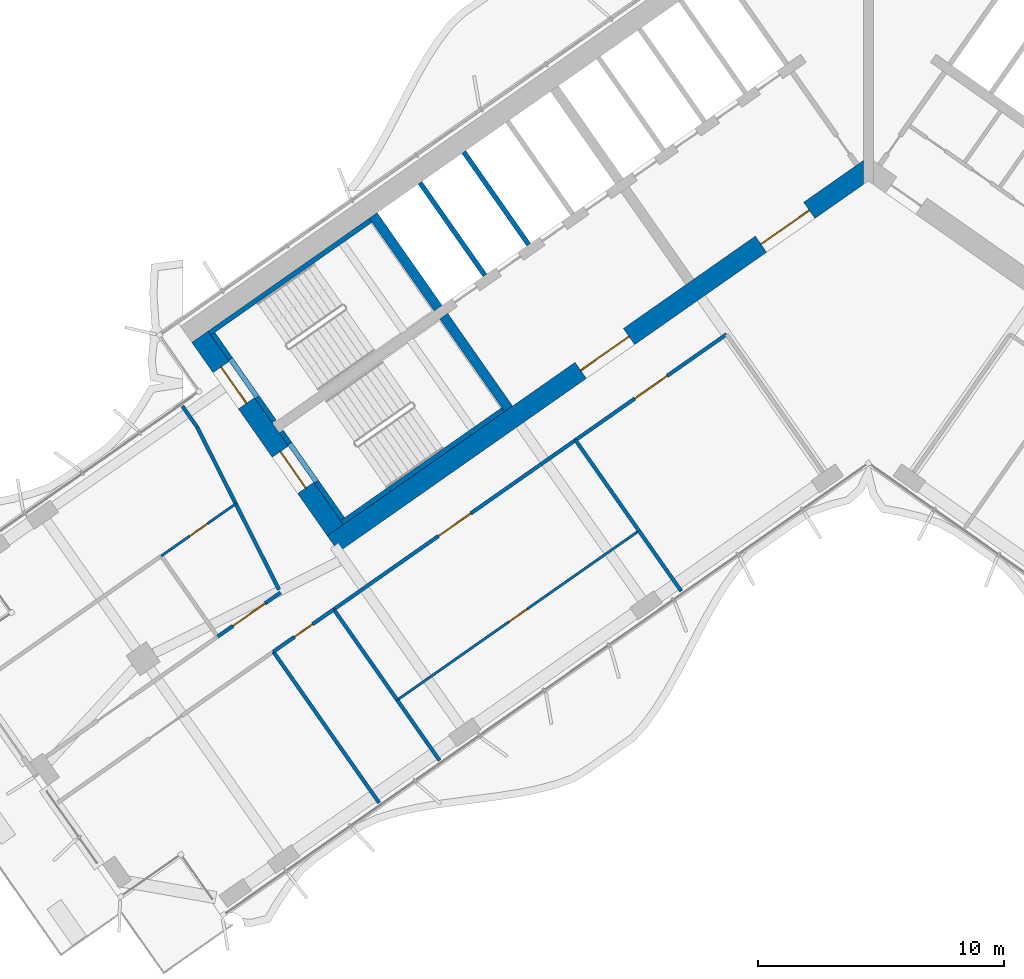
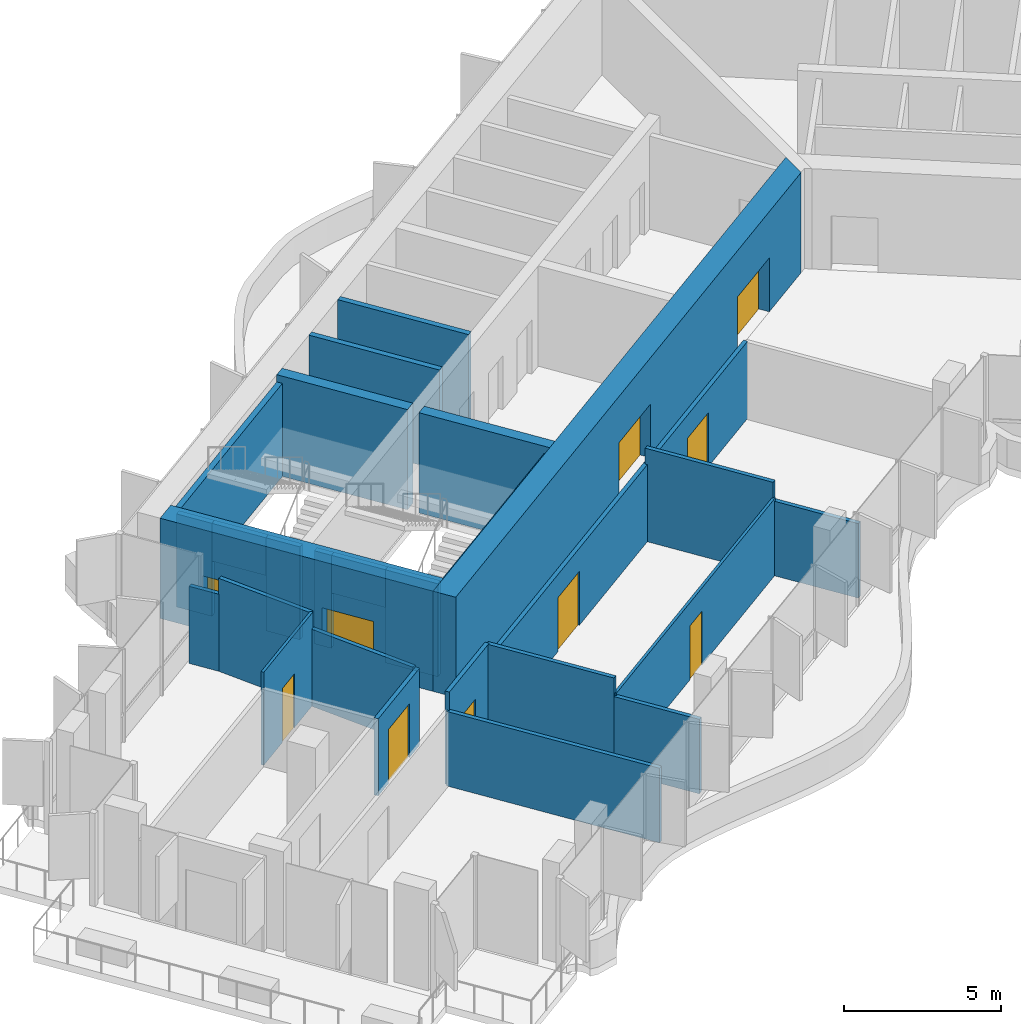
# One storey, part 14 of 24: 28 walls, 10 doors, 10 openings.
"""IFC4 building model written with IfcOpenShell, lengths in metres."""

from ifc_helpers import new_model, si_unit, direction, frame, frame_2d, origin, place, context, subcontext, project, spatial, polyline, rectangle, outline, extrude, material, layer, layer_set, type_object, element, fill, save


model = new_model("IFC4")

# Units and contexts
model_context = context("Model", 3, precision=1e-05, world=origin(), true_north=direction((0.0, 1.0)))
body_context = subcontext(model_context, "Body", "Model", "MODEL_VIEW")
ifc_project = project(units=[si_unit("LENGTHUNIT", "METRE"), si_unit("AREAUNIT", "SQUARE_METRE"), si_unit("VOLUMEUNIT", "CUBIC_METRE"), si_unit("PLANEANGLEUNIT", "RADIAN"), si_unit("MASSUNIT", "GRAM", prefix="KILO")], contexts=[model_context])

# Site, building, storey
site_placement = place(None, origin())
site = spatial("IfcSite", under=ifc_project, at=site_placement, CompositionType="ELEMENT")
building_placement = place(site_placement, origin())
building = spatial("IfcBuilding", under=site, at=building_placement, Name="Tel Ilan Convention Tower", CompositionType="ELEMENT")
storey_placement = place(building_placement, frame((0.0, 0.0, 167.10009765625)))
storey = spatial("IfcBuildingStorey", under=building, at=storey_placement, Name="L38", CompositionType="ELEMENT", Elevation=167.10009765625)

# Walls
ifc_material_1 = material(Name="Concrete C50/60", Category="concrete")
ifc_layer_1 = layer(ifc_material_1, 0.39990234375)
ifc_layer_set_1 = layer_set([ifc_layer_1], Name="Core Shear Wall 400 mm C50/60")
wall_type_1 = type_object("IfcWallType", Name="Core Shear Wall 400 mm C50/60", PredefinedType="SHEAR", material=ifc_layer_set_1)
wall_1_placement = place(storey_placement, frame((-14.6298828125, -10.48828125, 0.0), z_axis=(0.0, 0.0, 1.0), x_axis=(-0.573611936273, 0.819127185829, 0.0)))
element("IfcWall", 1, at=wall_1_placement, inside=storey, type_object=wall_type_1, Name="L38 core wall W-cross2-1", PredefinedType="SHEAR", context=body_context, shape_type="SweptSolid", body=[
    extrude(outline(polyline([(4.60009765625, 0.199951171875), (0.000244140625, 0.2001953125), (0.000244140625, -0.199951171875), (4.60009765625, -0.2001953125), (4.60009765625, 0.199951171875)])), origin(), (0.0, 0.0, 1.0), 3.89990234375),
])
wall_2_placement = place(storey_placement, frame((-17.497802734375, -6.392333984375, 0.0), z_axis=(0.0, 0.0, 1.0), x_axis=(-0.573611936273, 0.819127185829, 0.0)))
element("IfcWall", 2, at=wall_2_placement, inside=storey, type_object=wall_type_1, Name="L38 core wall W-cross2-2", PredefinedType="SHEAR", context=body_context, shape_type="SweptSolid", body=[
    extrude(outline(polyline([(4.599853515625, -0.2001953125), (4.599853515625, 0.199951171875), (0.0, 0.2001953125), (0.0, -0.199951171875), (4.599853515625, -0.2001953125)])), origin(), (0.0, 0.0, 1.0), 3.89990234375),
])

# Wall, openings, doors
ifc_material_2 = material(Name="Concrete C50/60", Category="concrete")
ifc_layer_2 = layer(ifc_material_2, 0.800048828125)
ifc_layer_set_2 = layer_set([ifc_layer_2], Name="Core Shear Wall 800 mm C50/60")
wall_type_2 = type_object("IfcWallType", Name="Core Shear Wall 800 mm C50/60", PredefinedType="SHEAR", material=ifc_layer_set_2)
wall_3_placement = place(storey_placement, frame((0.029296875, -0.7119140625, 0.0), z_axis=(0.0, 0.0, 1.0), x_axis=(-0.819151758019, -0.573576845187, 0.0)))
wall_3 = element("IfcWall", 3, at=wall_3_placement, inside=storey, type_object=wall_type_2, Name="L38 core wall W-front", PredefinedType="SHEAR", context=body_context, shape_type="SweptSolid", body=[
    extrude(outline(polyline([(26.61572265625, 0.39990234375), (0.56005859375, 0.39990234375), (-0.000244140625, -0.39990234375), (26.61572265625, -0.39990234375), (26.61572265625, 0.39990234375)])), origin(), (0.0, 0.0, 1.0), 3.89990234375),
])
opening_1_placement = place(wall_3_placement, frame((2.9658203125, 0.0, 0.0)))
opening_1 = element("IfcOpeningElement", 4, at=opening_1_placement, cuts=wall_3, Name="Opening CD3005", PredefinedType="OPENING", context=body_context, shape_type="SweptSolid", body=[
    extrude(rectangle(XDim=2.39990234375, YDim=2.10009765625, at=frame_2d((1.199951171875, 1.050048828125))), frame((0.0, 0.409912109375, 0.0), z_axis=(0.0, -1.0, 0.0), x_axis=(1.0, 0.0, 0.0)), (0.0, 0.0, 1.0), 0.820068359375),
])
opening_2_placement = place(wall_3_placement, frame((11.915771484375, 0.0, 0.0)))
opening_2 = element("IfcOpeningElement", 5, at=opening_2_placement, cuts=wall_3, Name="Opening CD3006", PredefinedType="OPENING", context=body_context, shape_type="SweptSolid", body=[
    extrude(rectangle(XDim=2.39990234375, YDim=2.10009765625, at=frame_2d((1.199951171875, 1.050048828125))), frame((0.0, 0.409912109375, 0.0), z_axis=(0.0, -1.0, 0.0), x_axis=(1.0, 0.0, 0.0)), (0.0, 0.0, 1.0), 0.820068359375),
])
ifc_material_3 = material(Name="Glazed Aluminium Door Leaf", Category="aluminium")
door_type_1 = type_object("IfcDoorType", Name="Lobby Opening Door 2400 x 2100 FD60S", OperationType="NOTDEFINED", PredefinedType="DOOR", material=ifc_material_3)
door_1_placement = place(opening_1_placement, origin())
door_1 = element("IfcDoor", 6, at=door_1_placement, inside=storey, type_object=door_type_1, Name="Lift Lobby LR1-LR4 opening", OperationType="DOUBLE_DOOR_SINGLE_SWING", OverallHeight=2.10009765625, OverallWidth=2.39990234375, PredefinedType="DOOR", context=body_context, shape_type="SweptSolid", body=[
    extrude(rectangle(XDim=2.39990234375, YDim=2.10009765625, at=frame_2d((1.199951171875, 1.050048828125))), frame((0.0, 0.02490234375, 0.0), z_axis=(0.0, -1.0, 0.0), x_axis=(1.0, 0.0, 0.0)), (0.0, 0.0, 1.0), 0.050048828125),
])
fill(opening_1, door_1)
door_2_placement = place(opening_2_placement, origin())
door_2 = element("IfcDoor", 7, at=door_2_placement, inside=storey, type_object=door_type_1, Name="Lift Lobby LR5-LR8 opening", OperationType="DOUBLE_DOOR_SINGLE_SWING", OverallHeight=2.10009765625, OverallWidth=2.39990234375, PredefinedType="DOOR", context=body_context, shape_type="SweptSolid", body=[
    extrude(rectangle(XDim=2.39990234375, YDim=2.10009765625, at=frame_2d((1.199951171875, 1.050048828125))), frame((0.0, 0.02490234375, 0.0), z_axis=(0.0, -1.0, 0.0), x_axis=(1.0, 0.0, 0.0)), (0.0, 0.0, 1.0), 0.050048828125),
])
fill(opening_2, door_2)

wall_4_placement = place(storey_placement, frame((-21.6748046875, -15.4208984375, 0.0), z_axis=(0.0, 0.0, 1.0), x_axis=(-0.573581815061, 0.819148278049, 0.0)))
wall_4 = element("IfcWall", 8, at=wall_4_placement, inside=storey, type_object=wall_type_2, Name="L38 core wall W-end", PredefinedType="SHEAR", context=body_context, shape_type="SweptSolid", body=[
    extrude(outline(polyline([(0.0, 0.39990234375), (0.0, -0.39990234375), (9.599853515625, -0.400146484375), (9.599853515625, 0.39990234375), (0.0, 0.39990234375)])), origin(), (0.0, 0.0, 1.0), 3.89990234375),
])
opening_3_placement = place(wall_4_placement, frame((6.300048828125, 0.0, 0.0)))
opening_3 = element("IfcOpeningElement", 9, at=opening_3_placement, cuts=wall_4, Name="Opening SD3001", PredefinedType="OPENING", context=body_context, shape_type="SweptSolid", body=[
    extrude(rectangle(XDim=1.800048828125, YDim=2.10009765625, at=frame_2d((0.89990234375, 1.050048828125))), frame((0.0, 0.409912109375, 0.0), z_axis=(0.0, -1.0, 0.0), x_axis=(1.0, 0.0, 0.0)), (0.0, 0.0, 1.0), 0.820068359375),
])
opening_4_placement = place(wall_4_placement, frame((2.10009765625, 0.0, 0.0)))
opening_4 = element("IfcOpeningElement", 10, at=opening_4_placement, cuts=wall_4, Name="Opening SD3002", PredefinedType="OPENING", context=body_context, shape_type="SweptSolid", body=[
    extrude(rectangle(XDim=1.800048828125, YDim=2.10009765625, at=frame_2d((0.89990234375, 1.050048828125))), frame((0.0, 0.409912109375, 0.0), z_axis=(0.0, -1.0, 0.0), x_axis=(1.0, 0.0, 0.0)), (0.0, 0.0, 1.0), 0.820068359375),
])
ifc_material_4 = material(Name="Galvanised Steel Door Leaf", Category="steel")
door_type_2 = type_object("IfcDoorType", Name="Stair Fire Door 1800 x 2100 FD60S", OperationType="NOTDEFINED", PredefinedType="DOOR", material=ifc_material_4)
door_3_placement = place(opening_3_placement, origin())
door_3 = element("IfcDoor", 11, at=door_3_placement, inside=storey, type_object=door_type_2, Name="Stair S1 door", OperationType="DOUBLE_DOOR_SINGLE_SWING", OverallHeight=2.10009765625, OverallWidth=1.800048828125, PredefinedType="DOOR", context=body_context, shape_type="SweptSolid", body=[
    extrude(rectangle(XDim=1.800048828125, YDim=2.10009765625, at=frame_2d((0.89990234375, 1.050048828125))), frame((0.0, 0.02490234375, 0.0), z_axis=(0.0, -1.0, 0.0), x_axis=(1.0, 0.0, 0.0)), (0.0, 0.0, 1.0), 0.050048828125),
])
fill(opening_3, door_3)
door_4_placement = place(opening_4_placement, origin())
door_4 = element("IfcDoor", 12, at=door_4_placement, inside=storey, type_object=door_type_2, Name="Stair S2 door", OperationType="DOUBLE_DOOR_SINGLE_SWING", OverallHeight=2.10009765625, OverallWidth=1.800048828125, PredefinedType="DOOR", context=body_context, shape_type="SweptSolid", body=[
    extrude(rectangle(XDim=1.800048828125, YDim=2.10009765625, at=frame_2d((0.89990234375, 1.050048828125))), frame((0.0, 0.02490234375, 0.0), z_axis=(0.0, -1.0, 0.0), x_axis=(1.0, 0.0, 0.0)), (0.0, 0.0, 1.0), 0.050048828125),
])
fill(opening_4, door_4)

# Wall, opening, door
ifc_material_5 = material(Name="Plasterboard on Steel Studs", Category="steel")
ifc_layer_3 = layer(ifc_material_5, 0.14990234375)
ifc_layer_set_3 = layer_set([ifc_layer_3], Name="Fire-rated Partition 150 EI 60")
wall_type_3 = type_object("IfcWallType", Name="Fire-rated Partition 150 EI 60", PredefinedType="PARTITIONING", material=ifc_layer_set_3)
wall_5_placement = place(storey_placement, frame((-26.460205078125, -19.748291015625, 0.0), z_axis=(0.0, 0.0, 1.0), x_axis=(0.819162096976, 0.573562079359, 0.0)))
wall_5 = element("IfcWall", 13, at=wall_5_placement, inside=storey, type_object=wall_type_3, Name="Partition 011", PredefinedType="PARTITIONING", context=body_context, shape_type="SweptSolid", body=[
    extrude(rectangle(XDim=3.121337890625, YDim=0.14990234375, at=frame_2d((1.560546875, 0.0))), origin(), (0.0, 0.0, 1.0), 3.0),
])
opening_5_placement = place(wall_5_placement, frame((0.760498046875, 0.0, 0.0)))
opening_5 = element("IfcOpeningElement", 14, at=opening_5_placement, cuts=wall_5, Name="Opening L38-006", PredefinedType="OPENING", context=body_context, shape_type="SweptSolid", body=[
    extrude(rectangle(XDim=1.60009765625, YDim=2.10009765625, at=frame_2d((0.800048828125, 1.050048828125))), frame((0.0, 0.0849609375, 0.0), z_axis=(0.0, -1.0, 0.0), x_axis=(1.0, 0.0, 0.0)), (0.0, 0.0, 1.0), 0.169921875),
])
ifc_material_6 = material(Name="Timber Door Leaf in Steel Frame", Category="steel")
door_type_3 = type_object("IfcDoorType", Name="Tenant Suite Entrance Fire Door 1600x2100", OperationType="NOTDEFINED", PredefinedType="DOOR", material=ifc_material_6)
door_5_placement = place(opening_5_placement, origin())
door_5 = element("IfcDoor", 15, at=door_5_placement, inside=storey, type_object=door_type_3, Name="Door L38-006", OperationType="DOUBLE_DOOR_SINGLE_SWING", OverallHeight=2.10009765625, OverallWidth=1.60009765625, PredefinedType="DOOR", context=body_context, shape_type="SweptSolid", body=[
    extrude(rectangle(XDim=1.60009765625, YDim=2.10009765625, at=frame_2d((0.800048828125, 1.050048828125))), frame((0.0, 0.02490234375, 0.0), z_axis=(0.0, -1.0, 0.0), x_axis=(1.0, 0.0, 0.0)), (0.0, 0.0, 1.0), 0.050048828125),
])
fill(opening_5, door_5)

wall_6_placement = place(storey_placement, frame((-5.766357421875, -7.455810546875, 0.0), z_axis=(0.0, 0.0, 1.0), x_axis=(-0.819150881364, -0.573578097177, 0.0)))
wall_6 = element("IfcWall", 16, at=wall_6_placement, inside=storey, type_object=wall_type_3, Name="Partition 013", PredefinedType="PARTITIONING", context=body_context, shape_type="SweptSolid", body=[
    extrude(rectangle(XDim=7.501953125, YDim=0.14990234375, at=frame_2d((3.7509765625, 0.0))), origin(), (0.0, 0.0, 1.0), 3.0),
])
opening_6_placement = place(wall_6_placement, frame((2.950927734375, 0.0, 0.0)))
opening_6 = element("IfcOpeningElement", 17, at=opening_6_placement, cuts=wall_6, Name="Opening L38-001", PredefinedType="OPENING", context=body_context, shape_type="SweptSolid", body=[
    extrude(rectangle(XDim=1.60009765625, YDim=2.10009765625, at=frame_2d((0.800048828125, 1.050048828125))), frame((0.0, 0.0849609375, 0.0), z_axis=(0.0, -1.0, 0.0), x_axis=(1.0, 0.0, 0.0)), (0.0, 0.0, 1.0), 0.169921875),
])
door_6_placement = place(opening_6_placement, origin())
door_6 = element("IfcDoor", 18, at=door_6_placement, inside=storey, type_object=door_type_3, Name="Door L38-001", OperationType="DOUBLE_DOOR_SINGLE_SWING", OverallHeight=2.10009765625, OverallWidth=1.60009765625, PredefinedType="DOOR", context=body_context, shape_type="SweptSolid", body=[
    extrude(rectangle(XDim=1.60009765625, YDim=2.10009765625, at=frame_2d((0.800048828125, 1.050048828125))), frame((0.0, 0.02490234375, 0.0), z_axis=(0.0, -1.0, 0.0), x_axis=(1.0, 0.0, 0.0)), (0.0, 0.0, 1.0), 0.050048828125),
])
fill(opening_6, door_6)

wall_7_placement = place(storey_placement, frame((-11.908447265625, -11.756591796875, 0.0), z_axis=(0.0, 0.0, 1.0), x_axis=(-0.81915738424, -0.573568810035, 0.0)))
wall_7 = element("IfcWall", 19, at=wall_7_placement, inside=storey, type_object=wall_type_3, Name="Partition 014", PredefinedType="PARTITIONING", context=body_context, shape_type="SweptSolid", body=[
    extrude(rectangle(XDim=12.00390625, YDim=0.14990234375, at=frame_2d((6.001953125, 0.0))), origin(), (0.0, 0.0, 1.0), 3.0),
])
opening_7_placement = place(wall_7_placement, frame((5.201904296875, 0.0, 0.0)))
opening_7 = element("IfcOpeningElement", 20, at=opening_7_placement, cuts=wall_7, Name="Opening L38-002", PredefinedType="OPENING", context=body_context, shape_type="SweptSolid", body=[
    extrude(rectangle(XDim=1.60009765625, YDim=2.10009765625, at=frame_2d((0.800048828125, 1.050048828125))), frame((0.0, 0.0849609375, 0.0), z_axis=(0.0, -1.0, 0.0), x_axis=(1.0, 0.0, 0.0)), (0.0, 0.0, 1.0), 0.169921875),
])
door_7_placement = place(opening_7_placement, origin())
door_7 = element("IfcDoor", 21, at=door_7_placement, inside=storey, type_object=door_type_3, Name="Door L38-002", OperationType="DOUBLE_DOOR_SINGLE_SWING", OverallHeight=2.10009765625, OverallWidth=1.60009765625, PredefinedType="DOOR", context=body_context, shape_type="SweptSolid", body=[
    extrude(rectangle(XDim=1.60009765625, YDim=2.10009765625, at=frame_2d((0.800048828125, 1.050048828125))), frame((0.0, 0.02490234375, 0.0), z_axis=(0.0, -1.0, 0.0), x_axis=(1.0, 0.0, 0.0)), (0.0, 0.0, 1.0), 0.050048828125),
])
fill(opening_7, door_7)

wall_8_placement = place(storey_placement, frame((-21.73828125, -18.639404296875, 0.0), z_axis=(0.0, 0.0, 1.0), x_axis=(-0.819128818764, -0.573609604409, 0.0)))
wall_8 = element("IfcWall", 22, at=wall_8_placement, inside=storey, type_object=wall_type_3, Name="Partition 015", PredefinedType="PARTITIONING", context=body_context, shape_type="SweptSolid", body=[
    extrude(rectangle(XDim=3.004150390625, YDim=0.14990234375, at=frame_2d((1.501953125, 0.0))), origin(), (0.0, 0.0, 1.0), 3.619873046875),
])
opening_8_placement = place(wall_8_placement, frame((1.052001953125, 0.0, 0.0)))
opening_8 = element("IfcOpeningElement", 23, at=opening_8_placement, cuts=wall_8, Name="Opening L38-004", PredefinedType="OPENING", context=body_context, shape_type="SweptSolid", body=[
    extrude(rectangle(XDim=0.89990234375, YDim=2.10009765625, at=frame_2d((0.449951171875, 1.050048828125))), frame((0.0, 0.0849609375, 0.0), z_axis=(0.0, -1.0, 0.0), x_axis=(1.0, 0.0, 0.0)), (0.0, 0.0, 1.0), 0.169921875),
])
ifc_material_7 = material(Name="Timber Door Leaf in Steel Frame", Category="steel")
door_type_4 = type_object("IfcDoorType", Name="Room Fire Door 900x2100", OperationType="NOTDEFINED", PredefinedType="DOOR", material=ifc_material_7)
door_8_placement = place(opening_8_placement, origin())
door_8 = element("IfcDoor", 24, at=door_8_placement, inside=storey, type_object=door_type_4, Name="Door L38-004", OperationType="SINGLE_SWING_LEFT", OverallHeight=2.10009765625, OverallWidth=0.89990234375, PredefinedType="DOOR", context=body_context, shape_type="SweptSolid", body=[
    extrude(rectangle(XDim=0.89990234375, YDim=2.10009765625, at=frame_2d((0.449951171875, 1.050048828125))), frame((0.0, 0.02490234375, 0.0), z_axis=(0.0, -1.0, 0.0), x_axis=(1.0, 0.0, 0.0)), (0.0, 0.0, 1.0), 0.050048828125),
])
fill(opening_8, door_8)

# Walls
wall_9_placement = place(storey_placement, frame((-25.722900390625, -14.350341796875, 0.0), z_axis=(0.0, 0.0, 1.0), x_axis=(-0.44984051111, 0.89310890409, 0.0)))
element("IfcWall", 25, at=wall_9_placement, inside=storey, type_object=wall_type_3, Name="Partition 035", PredefinedType="PARTITIONING", context=body_context, shape_type="SweptSolid", body=[
    extrude(rectangle(XDim=3.491943359375, YDim=0.14990234375, at=frame_2d((1.74609375, 0.0))), origin(), (0.0, 0.0, 1.0), 3.619873046875),
])
wall_10_placement = place(storey_placement, frame((-27.293701171875, -11.231689453125, 0.0), z_axis=(0.0, 0.0, 1.0), x_axis=(-0.573525032608, 0.819188035174, 0.0)))
element("IfcWall", 26, at=wall_10_placement, inside=storey, type_object=wall_type_3, Name="Partition 036", PredefinedType="PARTITIONING", context=body_context, shape_type="SweptSolid", body=[
    extrude(rectangle(XDim=1.04541015625, YDim=0.14990234375, at=frame_2d((0.522705078125, 0.0))), origin(), (0.0, 0.0, 1.0), 3.0),
])
wall_11_placement = place(storey_placement, frame((-23.9638671875, -17.842529296875, 0.0), z_axis=(0.0, 0.0, 1.0), x_axis=(-0.449881820571, 0.893088096169, 0.0)))
element("IfcWall", 27, at=wall_11_placement, inside=storey, type_object=wall_type_3, Name="Partition 037", PredefinedType="PARTITIONING", context=body_context, shape_type="SweptSolid", body=[
    extrude(rectangle(XDim=3.913330078125, YDim=0.14990234375, at=frame_2d((1.95654296875, 0.0))), origin(), (0.0, 0.0, 1.0), 3.0),
])
wall_12_placement = place(storey_placement, frame((-7.608154296875, -17.9013671875, 0.0), z_axis=(0.0, 0.0, 1.0), x_axis=(-0.573609750632, 0.819128716369, 0.0)))
element("IfcWall", 28, at=wall_12_placement, inside=storey, type_object=wall_type_3, Name="Partition 041", PredefinedType="PARTITIONING", context=body_context, shape_type="SweptSolid", body=[
    extrude(rectangle(XDim=3.0009765625, YDim=0.14990234375, at=frame_2d((1.50048828125, 0.0))), origin(), (0.0, 0.0, 1.0), 2.89990234375),
])
wall_13_placement = place(storey_placement, frame((-9.327880859375, -15.445556640625, 0.0), z_axis=(0.0, 0.0, 1.0), x_axis=(-0.573527854296, 0.819186059663, 0.0)))
element("IfcWall", 29, at=wall_13_placement, inside=storey, type_object=wall_type_3, Name="Partition 042", PredefinedType="PARTITIONING", context=body_context, shape_type="SweptSolid", body=[
    extrude(rectangle(XDim=4.501953125, YDim=0.14990234375, at=frame_2d((2.2509765625, 0.0))), origin(), (0.0, 0.0, 1.0), 3.619873046875),
])
wall_14_placement = place(storey_placement, frame((-17.43798828125, -24.7841796875, 0.0), z_axis=(0.0, 0.0, 1.0), x_axis=(-0.573604390867, 0.819132469615, 0.0)))
element("IfcWall", 30, at=wall_14_placement, inside=storey, type_object=wall_type_3, Name="Partition 044", PredefinedType="PARTITIONING", context=body_context, shape_type="SweptSolid", body=[
    extrude(rectangle(XDim=2.9990234375, YDim=0.14990234375, at=frame_2d((1.49951171875, 0.0))), origin(), (0.0, 0.0, 1.0), 2.89990234375),
])
wall_15_placement = place(storey_placement, frame((-19.15869140625, -22.32666015625, 0.0), z_axis=(0.0, 0.0, 1.0), x_axis=(-0.573586141663, 0.819145248471, 0.0)))
element("IfcWall", 31, at=wall_15_placement, inside=storey, type_object=wall_type_3, Name="Partition 045", PredefinedType="PARTITIONING", context=body_context, shape_type="SweptSolid", body=[
    extrude(rectangle(XDim=4.499755859375, YDim=0.14990234375, at=frame_2d((2.25, 0.0))), origin(), (0.0, 0.0, 1.0), 3.619873046875),
])
wall_16_placement = place(storey_placement, frame((-19.8955078125, -26.5048828125, 0.0), z_axis=(0.0, 0.0, 1.0), x_axis=(-0.573575945067, 0.81915238829, 0.0)))
element("IfcWall", 32, at=wall_16_placement, inside=storey, type_object=wall_type_3, Name="Partition 046", PredefinedType="PARTITIONING", context=body_context, shape_type="SweptSolid", body=[
    extrude(rectangle(XDim=7.5, YDim=0.14990234375, at=frame_2d((3.75, 0.0))), origin(), (0.0, 0.0, 1.0), 2.89990234375),
])
ifc_material_8 = material(Name="Concrete C30/37", Category="concrete")
ifc_layer_4 = layer(ifc_material_8, 0.199951171875)
ifc_layer_set_4 = layer_set([ifc_layer_4], Name="Lift Shaft Wall 200 mm C30/37")
wall_type_4 = type_object("IfcWallType", Name="Lift Shaft Wall 200 mm C30/37", PredefinedType="SOLIDWALL", material=ifc_layer_set_4)
for number, where, z_axis, x_axis, name in (
    (33, (-13.811767578125, -3.811279296875, 0.0), (0.0, 0.0, 1.0), (-0.573576324356, 0.819152122709, 0.0), "L38 core wall bank-W2-p1"),
    (34, (-15.593505859375, -5.058837890625, 0.0), (0.0, 0.0, 1.0), (-0.573540709186, 0.819177059558, 0.0), "L38 core wall bank-W2-p2"),
):
    element("IfcWall", number, at=place(storey_placement, frame(where, z_axis=z_axis, x_axis=x_axis)), inside=storey, type_object=wall_type_4, Name=name, PredefinedType="SOLIDWALL", context=body_context, shape_type="SweptSolid", body=[
        extrude(rectangle(XDim=4.599853515625, YDim=0.199951171875, at=frame_2d((2.2998046875, 0.0))), origin(), (0.0, 0.0, 1.0), 3.89990234375),
    ])

# Wall, opening, door
ifc_material_9 = material(Name="Plasterboard on Steel Studs", Category="steel")
ifc_layer_5 = layer(ifc_material_9, 0.10009765625)
ifc_layer_set_5 = layer_set([ifc_layer_5], Name="Plasterboard Partition 100")
wall_type_5 = type_object("IfcWallType", Name="Plasterboard Partition 100", PredefinedType="PARTITIONING", material=ifc_layer_set_5)
wall_17_placement = place(storey_placement, frame((-28.75341796875, -16.4697265625, 0.0), z_axis=(0.0, 0.0, 1.0), x_axis=(0.819148177905, 0.57358195808, 0.0)))
wall_17 = element("IfcWall", 35, at=wall_17_placement, inside=storey, type_object=wall_type_5, Name="Partition 038", PredefinedType="PARTITIONING", context=body_context, shape_type="SweptSolid", body=[
    extrude(rectangle(XDim=3.698486328125, YDim=0.10009765625, at=frame_2d((1.84912109375, 0.0))), origin(), (0.0, 0.0, 1.0), 3.619873046875),
])
opening_9_placement = place(wall_17_placement, frame((1.399169921875, 0.0, 0.0)))
opening_9 = element("IfcOpeningElement", 36, at=opening_9_placement, cuts=wall_17, Name="Opening L38-007", PredefinedType="OPENING", context=body_context, shape_type="SweptSolid", body=[
    extrude(rectangle(XDim=0.89990234375, YDim=2.10009765625, at=frame_2d((0.449951171875, 1.050048828125))), frame((0.0, 0.06005859375, 0.0), z_axis=(0.0, -1.0, 0.0), x_axis=(1.0, 0.0, 0.0)), (0.0, 0.0, 1.0), 0.1201171875),
])
ifc_material_10 = material(Name="Timber Door Leaf in Steel Frame", Category="steel")
door_type_5 = type_object("IfcDoorType", Name="Room Timber Door 900x2100", OperationType="NOTDEFINED", PredefinedType="DOOR", material=ifc_material_10)
door_9_placement = place(opening_9_placement, origin())
door_9 = element("IfcDoor", 37, at=door_9_placement, inside=storey, type_object=door_type_5, Name="Door L38-007", OperationType="SINGLE_SWING_LEFT", OverallHeight=2.10009765625, OverallWidth=0.89990234375, PredefinedType="DOOR", context=body_context, shape_type="SweptSolid", body=[
    extrude(rectangle(XDim=0.89990234375, YDim=2.10009765625, at=frame_2d((0.449951171875, 1.050048828125))), frame((0.0, 0.02490234375, 0.0), z_axis=(0.0, -1.0, 0.0), x_axis=(1.0, 0.0, 0.0)), (0.0, 0.0, 1.0), 0.050048828125),
])
fill(opening_9, door_9)

wall_18_placement = place(storey_placement, frame((-9.328369140625, -15.444580078125, 0.0), z_axis=(0.0, 0.0, 1.0), x_axis=(-0.819146845232, -0.573583861302, 0.0)))
wall_18 = element("IfcWall", 38, at=wall_18_placement, inside=storey, type_object=wall_type_5, Name="Partition 043", PredefinedType="PARTITIONING", context=body_context, shape_type="SweptSolid", body=[
    extrude(rectangle(XDim=12.0, YDim=0.10009765625, at=frame_2d((6.0, 0.0))), origin(), (0.0, 0.0, 1.0), 3.0),
])
opening_10_placement = place(wall_18_placement, frame((5.550048828125, 0.0, 0.0)))
opening_10 = element("IfcOpeningElement", 39, at=opening_10_placement, cuts=wall_18, Name="Opening L38-003", PredefinedType="OPENING", context=body_context, shape_type="SweptSolid", body=[
    extrude(rectangle(XDim=0.89990234375, YDim=2.10009765625, at=frame_2d((0.449951171875, 1.050048828125))), frame((0.0, 0.06005859375, 0.0), z_axis=(0.0, -1.0, 0.0), x_axis=(1.0, 0.0, 0.0)), (0.0, 0.0, 1.0), 0.1201171875),
])
door_10_placement = place(opening_10_placement, origin())
door_10 = element("IfcDoor", 40, at=door_10_placement, inside=storey, type_object=door_type_5, Name="Door L38-003", OperationType="SINGLE_SWING_LEFT", OverallHeight=2.10009765625, OverallWidth=0.89990234375, PredefinedType="DOOR", context=body_context, shape_type="SweptSolid", body=[
    extrude(rectangle(XDim=0.89990234375, YDim=2.10009765625, at=frame_2d((0.449951171875, 1.050048828125))), frame((0.0, 0.02490234375, 0.0), z_axis=(0.0, -1.0, 0.0), x_axis=(1.0, 0.0, 0.0)), (0.0, 0.0, 1.0), 0.050048828125),
])
fill(opening_10, door_10)

# Walls
ifc_material_11 = material(Name="Concrete C30/37", Category="concrete")
ifc_layer_6 = layer(ifc_material_11, 0.199951171875)
ifc_layer_set_6 = layer_set([ifc_layer_6], Name="Stair and Shaft Lining Wall 200 mm C30/37")
wall_type_6 = type_object("IfcWallType", Name="Stair and Shaft Lining Wall 200 mm C30/37", PredefinedType="SOLIDWALL", material=ifc_layer_set_6)
wall_19_placement = place(storey_placement, frame((-20.242919921875, -2.821044921875, 0.0), z_axis=(0.0, 0.0, 1.0), x_axis=(-0.819141584393, -0.57359137434, 0.0)))
element("IfcWall", 41, at=wall_19_placement, inside=storey, type_object=wall_type_6, Name="L38 core wall lining-S1-t1", PredefinedType="SOLIDWALL", context=body_context, shape_type="SweptSolid", body=[
    extrude(rectangle(XDim=7.999755859375, YDim=0.199951171875, at=frame_2d((4.0, 0.0))), origin(), (0.0, 0.0, 1.0), 3.619873046875),
])
wall_20_placement = place(storey_placement, frame((-24.16162109375, -10.99755859375, 0.0), z_axis=(0.0, 0.0, 1.0), x_axis=(-0.573612502218, 0.819126789514, 0.0)))
element("IfcWall", 42, at=wall_20_placement, inside=storey, type_object=wall_type_6, Name="L38 core wall lining-S1-u1-0", PredefinedType="SOLIDWALL", context=body_context, shape_type="SweptSolid", body=[
    extrude(rectangle(XDim=1.2001953125, YDim=0.199951171875, at=frame_2d((0.60009765625, 0.0))), origin(), (0.0, 0.0, 1.0), 3.619873046875),
])
wall_21_placement = place(storey_placement, frame((-25.939697265625, -8.4580078125, 0.0), z_axis=(0.0, 0.0, 1.0), x_axis=(-0.573619628835, 0.819121798889, 0.0)))
element("IfcWall", 43, at=wall_21_placement, inside=storey, type_object=wall_type_6, Name="L38 core wall lining-S1-u1-1", PredefinedType="SOLIDWALL", context=body_context, shape_type="SweptSolid", body=[
    extrude(rectangle(XDim=1.25, YDim=0.199951171875, at=frame_2d((0.625, 0.0))), origin(), (0.0, 0.0, 1.0), 3.619873046875),
])
wall_22_placement = place(storey_placement, frame((-24.85009765625, -10.014404296875, 2.14990234375), z_axis=(0.0, 0.0, 1.0), x_axis=(-0.573505465124, 0.819201734296, 0.0)))
element("IfcWall", 44, at=wall_22_placement, inside=storey, type_object=wall_type_6, Name="L38 core wall lining-S1-u1-lintel", PredefinedType="SOLIDWALL", context=body_context, shape_type="SweptSolid", body=[
    extrude(rectangle(XDim=1.89990234375, YDim=0.199951171875, at=frame_2d((0.949951171875, 0.0))), origin(), (0.0, 0.0, 1.0), 1.469970703125),
])
wall_23_placement = place(storey_placement, frame((-14.851318359375, -10.52099609375, 0.0), z_axis=(0.0, 0.0, 1.0), x_axis=(-0.819141584393, -0.57359137434, 0.0)))
element("IfcWall", 45, at=wall_23_placement, inside=storey, type_object=wall_type_6, Name="L38 core wall lining-S2-t0", PredefinedType="SOLIDWALL", context=body_context, shape_type="SweptSolid", body=[
    extrude(rectangle(XDim=7.999755859375, YDim=0.199951171875, at=frame_2d((4.0, 0.0))), origin(), (0.0, 0.0, 1.0), 3.619873046875),
])
wall_24_placement = place(storey_placement, frame((-21.3798828125, -14.97021484375, 0.0), z_axis=(0.0, 0.0, 1.0), x_axis=(-0.573559770908, 0.819163713305, 0.0)))
element("IfcWall", 46, at=wall_24_placement, inside=storey, type_object=wall_type_6, Name="L38 core wall lining-S2-u1-0", PredefinedType="SOLIDWALL", context=body_context, shape_type="SweptSolid", body=[
    extrude(rectangle(XDim=1.849853515625, YDim=0.199951171875, at=frame_2d((0.9248046875, 0.0))), origin(), (0.0, 0.0, 1.0), 3.619873046875),
])
wall_25_placement = place(storey_placement, frame((-23.53076171875, -11.8984375, 0.0), z_axis=(0.0, 0.0, 1.0), x_axis=(-0.573708088123, 0.819059844958, 0.0)))
element("IfcWall", 47, at=wall_25_placement, inside=storey, type_object=wall_type_6, Name="L38 core wall lining-S2-u1-1", PredefinedType="SOLIDWALL", context=body_context, shape_type="SweptSolid", body=[
    extrude(rectangle(XDim=0.60009765625, YDim=0.199951171875, at=frame_2d((0.300048828125, 0.0))), origin(), (0.0, 0.0, 1.0), 3.619873046875),
])
wall_26_placement = place(storey_placement, frame((-22.44091796875, -13.454833984375, 2.14990234375), z_axis=(0.0, 0.0, 1.0), x_axis=(-0.573591692345, 0.819141361715, 0.0)))
element("IfcWall", 48, at=wall_26_placement, inside=storey, type_object=wall_type_6, Name="L38 core wall lining-S2-u1-lintel", PredefinedType="SOLIDWALL", context=body_context, shape_type="SweptSolid", body=[
    extrude(rectangle(XDim=1.900146484375, YDim=0.199951171875, at=frame_2d((0.9501953125, 0.0))), origin(), (0.0, 0.0, 1.0), 1.469970703125),
])

save(model, "model.ifc")
